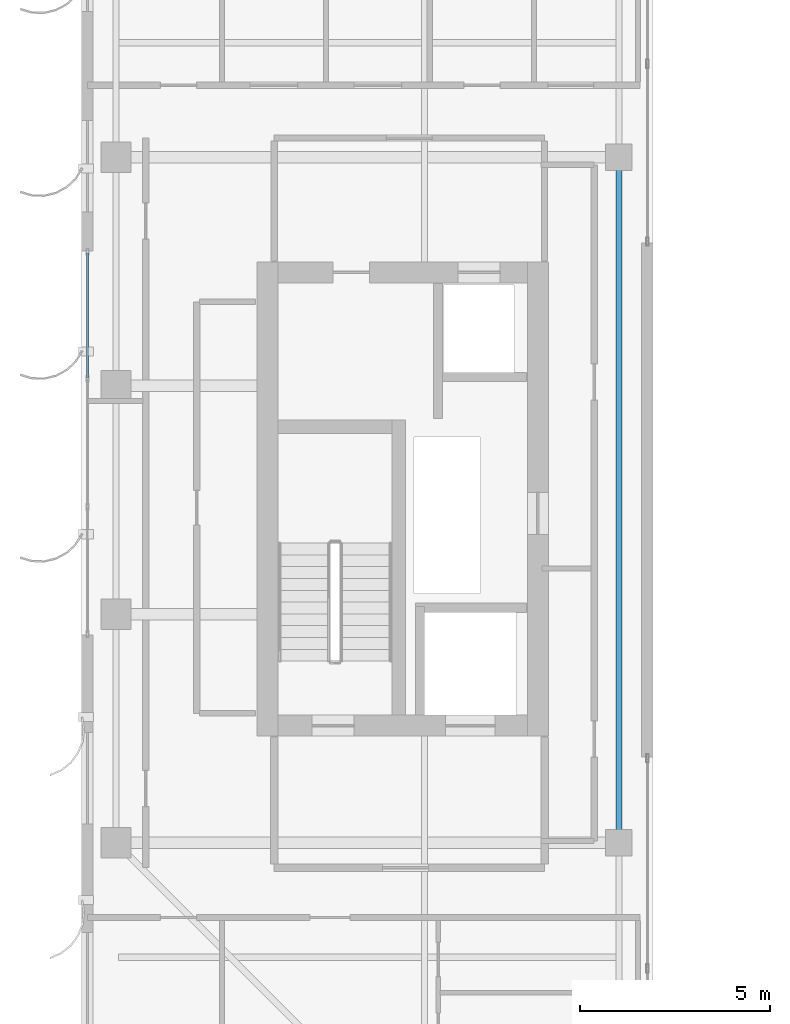
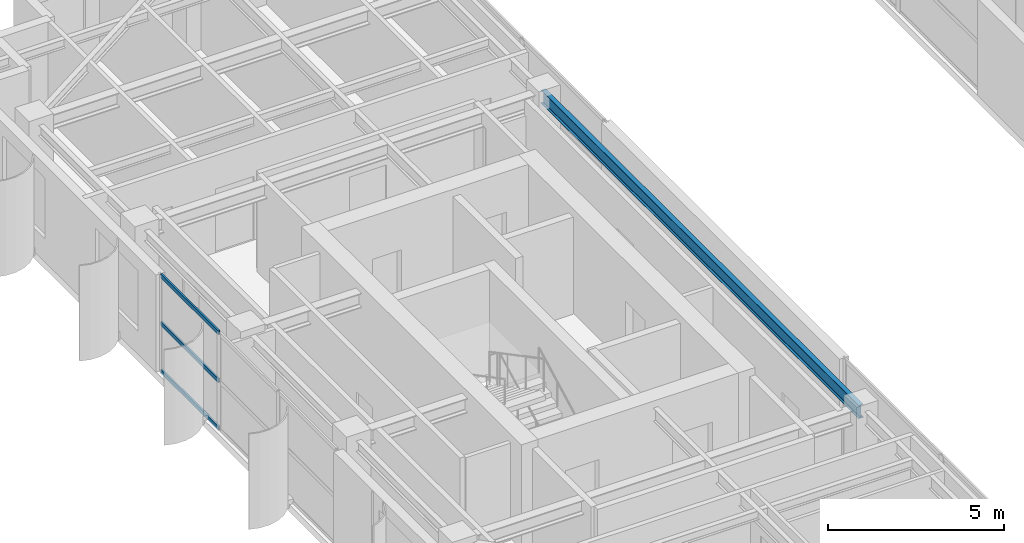
# One storey, part 7 of 22: 3 members, 1 beam, 1 element without a shape of its own.
"""IFC4 building model written with IfcOpenShell, lengths in metres."""

from ifc_helpers import new_model, si_unit, direction, frame, origin, origin_2d, place, context, subcontext, project, spatial, hollow_rectangle, i_section, extrude, source, transform, mapped, material, layer, layer_set, material_profile, profile_set, type_object, element, aggregate, save


model = new_model("IFC4")

# Units and contexts
model_context = context("Model", 3, precision=1e-05, world=origin(), true_north=direction((0.0, 1.0)))
body_context = subcontext(model_context, "Body", "Model", "MODEL_VIEW")
ifc_project = project(units=[si_unit("LENGTHUNIT", "METRE"), si_unit("AREAUNIT", "SQUARE_METRE"), si_unit("VOLUMEUNIT", "CUBIC_METRE"), si_unit("PLANEANGLEUNIT", "RADIAN"), si_unit("MASSUNIT", "GRAM", prefix="KILO")], contexts=[model_context])

# Site, building, storey
site_placement = place(None, origin())
site = spatial("IfcSite", under=ifc_project, at=site_placement, CompositionType="ELEMENT")
building_placement = place(site_placement, origin())
building = spatial("IfcBuilding", under=site, at=building_placement, Name="Khoralis Quay Care Tower", CompositionType="ELEMENT")
storey_placement = place(building_placement, frame((0.0, 0.0, 242.10009765625)))
storey = spatial("IfcBuildingStorey", under=building, at=storey_placement, Name="L63", CompositionType="ELEMENT", Elevation=242.10009765625)

# Beam
ifc_material_1 = material(Name="Steel S355", Category="steel")
ifc_material_profile_1 = material_profile(ifc_material_1, i_section(OverallWidth=0.154052734375, OverallDepth=0.458984375, WebThickness=0.009033203125, FlangeThickness=0.015380859375, FilletRadius=0.014892578125, at=origin_2d()), Name="Steel S355")
ifc_profile_set_1 = profile_set([ifc_material_profile_1], Name="Steel S355")
beam_type = type_object("IfcBeamType", Name="BM-W460X68", PredefinedType="BEAM", material=ifc_profile_set_1)
shared_shape_1 = source(origin(), body_context, "Body", "SweptSolid", [
    extrude(i_section(OverallWidth=0.154052734375, OverallDepth=0.458984375, WebThickness=0.009033203125, FlangeThickness=0.015380859375, FilletRadius=0.014892578125, at=origin_2d()), origin(), (0.0, 0.0, 1.0), 18.0),
])
beam_placement = place(storey_placement, frame((17.10009765625, 12.0, 3.13037109375), z_axis=(0.0, 1.0, 0.0), x_axis=(-1.0, 0.0, 0.0)))
element("IfcBeam", 1, at=beam_placement, inside=storey, type_object=beam_type, Name="BM-TGSW-L63", PredefinedType="BEAM", context=body_context, shape_type="MappedRepresentation", body=[
    mapped(shared_shape_1, transform((0.0, 0.0, 0.0), scale=1.0)),
])

# Curtain wall, members
ifc_material_2 = material(Name="Pale anodised aluminium", Category="aluminium")
ifc_layer = layer(ifc_material_2, 0.159912109375)
ifc_layer_set = layer_set([ifc_layer], Name="Pale anodised aluminium")
curtain_wall_type = type_object("IfcCurtainWallType", Name="CW-SYS-Z3", PredefinedType="NOTDEFINED", material=ifc_layer_set)
curtain_wall_placement = place(storey_placement, origin())
curtain_wall = element("IfcCurtainWall", 2, at=curtain_wall_placement, inside=storey, type_object=curtain_wall_type, Name="L63 Unitised Curtain Wall CW-L63-P1-E7", PredefinedType="NOTDEFINED")
ifc_material_profile_2 = material_profile(ifc_material_2, hollow_rectangle(XDim=0.06005859375, YDim=0.139892578125, WallThickness=0.00390625, at=origin_2d()), Name="Pale anodised aluminium")
ifc_profile_set_2 = profile_set([ifc_material_profile_2], Name="Pale anodised aluminium")
member_type = type_object("IfcMemberType", Name="CW-TRN-140", PredefinedType="USERDEFINED", material=ifc_profile_set_2)
shared_shape_2 = source(origin(), body_context, "Body", "SweptSolid", [
    extrude(hollow_rectangle(XDim=0.06005859375, YDim=0.139892578125, WallThickness=0.00390625, at=origin_2d()), origin(), (0.0, 0.0, 1.0), 3.27001953125),
])
member_1_placement = place(storey_placement, frame((3.14990234375, 27.47998046875, 0.02978515625), z_axis=(0.0, -1.0, 0.0), x_axis=(1.0, 0.0, 0.0)))
member_1 = element("IfcMember", 3, at=member_1_placement, type_object=member_type, Name="CW3 transom 1.1", ObjectType="TRANSOM", PredefinedType="USERDEFINED", context=body_context, shape_type="MappedRepresentation", body=[
    mapped(shared_shape_2, transform((0.0, 0.0, 0.0), scale=1.0)),
])
member_2_placement = place(storey_placement, frame((3.14990234375, 27.47998046875, 1.679931640625), z_axis=(0.0, -1.0, 0.0), x_axis=(1.0, 0.0, 0.0)))
member_2 = element("IfcMember", 4, at=member_2_placement, type_object=member_type, Name="CW3 transom 1.2", ObjectType="TRANSOM", PredefinedType="USERDEFINED", context=body_context, shape_type="MappedRepresentation", body=[
    mapped(shared_shape_2, transform((0.0, 0.0, 0.0), scale=1.0)),
])
member_3_placement = place(storey_placement, frame((3.14990234375, 27.47998046875, 3.329833984375), z_axis=(0.0, -1.0, 0.0), x_axis=(1.0, 0.0, 0.0)))
member_3 = element("IfcMember", 5, at=member_3_placement, type_object=member_type, Name="CW3 transom 1.3", ObjectType="TRANSOM", PredefinedType="USERDEFINED", context=body_context, shape_type="MappedRepresentation", body=[
    mapped(shared_shape_2, transform((0.0, 0.0, 0.0), scale=1.0)),
])
aggregate(curtain_wall, [member_1, member_2, member_3])

save(model, "model.ifc")
